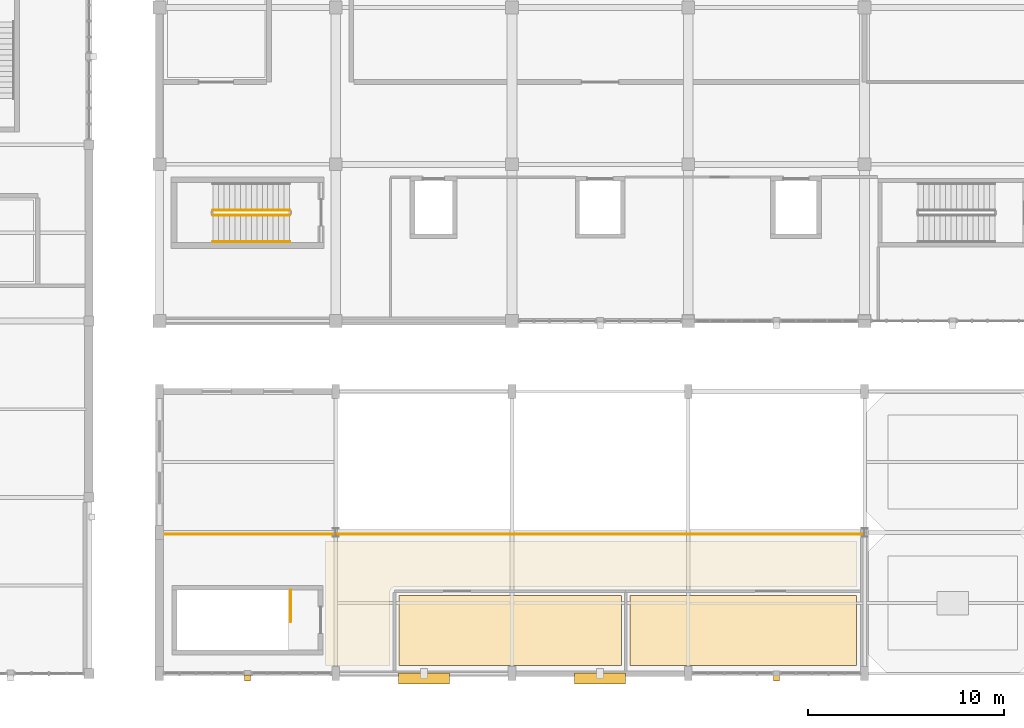
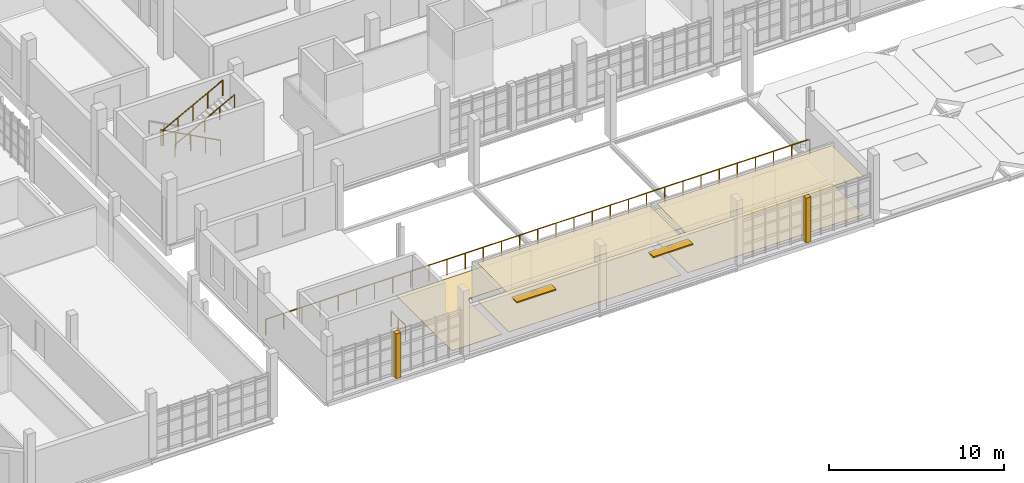
# One storey, part 112 of 125: 7 coverings, 5 railings, 2 shading devices.
"""IFC4 building model written with IfcOpenShell, lengths in metres."""

from ifc_helpers import new_model, si_unit, direction, frame, origin, origin_2d, place, context, subcontext, project, spatial, polyline, rectangle, circle, outline, extrude, material, layer, layer_set, type_object, element, save


model = new_model("IFC4")

# Units and contexts
model_context = context("Model", 3, precision=1e-05, world=origin(), true_north=direction((0.0, 1.0)))
body_context = subcontext(model_context, "Body", "Model", "MODEL_VIEW")
ifc_project = project(units=[si_unit("LENGTHUNIT", "METRE"), si_unit("AREAUNIT", "SQUARE_METRE"), si_unit("VOLUMEUNIT", "CUBIC_METRE"), si_unit("PLANEANGLEUNIT", "RADIAN"), si_unit("MASSUNIT", "GRAM", prefix="KILO")], contexts=[model_context])

# Site, building, storey
site_placement = place(None, origin())
site = spatial("IfcSite", under=ifc_project, at=site_placement, CompositionType="ELEMENT")
building_placement = place(site_placement, origin())
building = spatial("IfcBuilding", under=site, at=building_placement, Name="Serraforn Aerial Cableway Station", CompositionType="ELEMENT")
storey_placement = place(building_placement, frame((0.0, 0.0, 4.5)))
storey = spatial("IfcBuildingStorey", under=building, at=storey_placement, Name="L01", CompositionType="ELEMENT", Elevation=4.5)

# Coverings
ifc_material_1 = material(Name="Fluted patinated bronze Art Deco pilaster cladding")
ifc_layer_1 = layer(ifc_material_1, 0.034912109375)
ifc_layer_set_1 = layer_set([ifc_layer_1], Name="Fluted patinated bronze Art Deco pilaster cladding")
covering_type_1 = type_object("IfcCoveringType", Name="COV-CLAD-BRZ", PredefinedType="CLADDING", material=ifc_layer_set_1)
covering_1_placement = place(storey_placement, origin())
element("IfcCovering", 1, at=covering_1_placement, inside=storey, type_object=covering_type_1, Name="Art Deco Bronze Pilaster Cladding CF-L01-S1", PredefinedType="CLADDING", context=body_context, shape_type="SweptSolid", body=[
    extrude(outline(polyline([(31.93994140625, -0.3798828125), (32.260009765625, -0.3798828125), (32.260009765625, -0.06005859375), (31.93994140625, -0.06005859375), (31.93994140625, -0.3798828125)])), origin(), (0.0, 0.0, 1.0), 3.1201171875),
])
covering_2_placement = place(storey_placement, origin())
element("IfcCovering", 2, at=covering_2_placement, inside=storey, type_object=covering_type_1, Name="Art Deco Bronze Pilaster Cladding CF-L01-S4", PredefinedType="CLADDING", context=body_context, shape_type="SweptSolid", body=[
    extrude(outline(polyline([(58.93994140625, -0.3798828125), (59.260009765625, -0.3798828125), (59.260009765625, -0.06005859375), (58.93994140625, -0.06005859375), (58.93994140625, -0.3798828125)])), origin(), (0.0, 0.0, 1.0), 3.1201171875),
])
ifc_material_2 = material(Name="Perforated acoustic mineral ceiling")
ifc_layer_2 = layer(ifc_material_2, 0.02490234375)
ifc_layer_set_2 = layer_set([ifc_layer_2], Name="Perforated acoustic mineral ceiling")
covering_type_2 = type_object("IfcCoveringType", Name="COV-CLG-AC", PredefinedType="CEILING", material=ifc_layer_set_2)
covering_3_placement = place(storey_placement, frame((0.0, 0.0, 2.659912109375)))
element("IfcCovering", 3, at=covering_3_placement, inside=storey, type_object=covering_type_2, Name="Suspended Ceiling L01-21", PredefinedType="CEILING", context=body_context, shape_type="SweptSolid", body=[
    extrude(outline(polyline([(39.820068359375, 0.419921875), (39.820068359375, 3.97998046875), (51.179931640625, 3.97998046875), (51.179931640625, 0.419921875), (39.820068359375, 0.419921875)])), origin(), (0.0, 0.0, 1.0), 0.025146484375),
])
covering_4_placement = place(storey_placement, frame((0.0, 0.0, 2.659912109375)))
element("IfcCovering", 4, at=covering_4_placement, inside=storey, type_object=covering_type_2, Name="Suspended Ceiling L01-22", PredefinedType="CEILING", context=body_context, shape_type="SweptSolid", body=[
    extrude(outline(polyline([(51.6201171875, 0.419921875), (51.6201171875, 3.97998046875), (63.179931640625, 3.97998046875), (63.179931640625, 0.419921875), (51.6201171875, 0.419921875)])), origin(), (0.0, 0.0, 1.0), 0.025146484375),
])
ifc_material_3 = material(Name="Honed Montjuic limestone flooring", Category="masonry")
ifc_layer_3 = layer(ifc_material_3, 0.030029296875)
ifc_layer_set_3 = layer_set([ifc_layer_3], Name="Honed Montjuic limestone flooring")
covering_type_3 = type_object("IfcCoveringType", Name="COV-FLR-STN", PredefinedType="FLOORING", material=ifc_layer_set_3)
covering_5_placement = place(storey_placement, origin())
element("IfcCovering", 5, at=covering_5_placement, inside=storey, type_object=covering_type_3, Name="Flooring L01-05", PredefinedType="FLOORING", context=body_context, shape_type="SweptSolid", body=[
    extrude(outline(polyline([(36.070068359375, 0.419921875), (36.070068359375, 6.780029296875), (63.179931640625, 6.780029296875), (63.179931640625, 4.419921875), (39.60009765625, 4.419921875), (39.578369140625, 4.4189453125), (39.55712890625, 4.415771484375), (39.5361328125, 4.410400390625), (39.515869140625, 4.4033203125), (39.496337890625, 4.39404296875), (39.477783203125, 4.3828125), (39.46044921875, 4.3701171875), (39.4443359375, 4.355712890625), (39.429931640625, 4.339599609375), (39.4169921875, 4.322265625), (39.406005859375, 4.3037109375), (39.396728515625, 4.2841796875), (39.389404296875, 4.263916015625), (39.38427734375, 4.242919921875), (39.381103515625, 4.2216796875), (39.3798828125, 4.199951171875), (39.3798828125, 0.419921875), (36.070068359375, 0.419921875)])), origin(), (0.0, 0.0, 1.0), 0.030029296875),
])
ifc_material_4 = material(Name="Catalan oak parquet flooring")
ifc_layer_4 = layer(ifc_material_4, 0.02197265625)
ifc_layer_set_4 = layer_set([ifc_layer_4], Name="Catalan oak parquet flooring")
covering_type_4 = type_object("IfcCoveringType", Name="COV-FLR-WD", PredefinedType="FLOORING", material=ifc_layer_set_4)
covering_6_placement = place(storey_placement, origin())
element("IfcCovering", 6, at=covering_6_placement, inside=storey, type_object=covering_type_4, Name="Flooring L01-21", PredefinedType="FLOORING", context=body_context, shape_type="SweptSolid", body=[
    extrude(outline(polyline([(39.820068359375, 0.419921875), (39.820068359375, 3.97998046875), (51.179931640625, 3.97998046875), (51.179931640625, 0.419921875), (39.820068359375, 0.419921875)])), origin(), (0.0, 0.0, 1.0), 0.02197265625),
])
covering_7_placement = place(storey_placement, origin())
element("IfcCovering", 7, at=covering_7_placement, inside=storey, type_object=covering_type_4, Name="Flooring L01-22", PredefinedType="FLOORING", context=body_context, shape_type="SweptSolid", body=[
    extrude(outline(polyline([(51.6201171875, 0.419921875), (51.6201171875, 3.97998046875), (63.179931640625, 3.97998046875), (63.179931640625, 0.419921875), (51.6201171875, 0.419921875)])), origin(), (0.0, 0.0, 1.0), 0.02197265625),
])

# Railings
ifc_material_5 = material(Name="Patinated bronze stair guardrail")
ifc_layer_5 = layer(ifc_material_5, 0.050048828125)
ifc_layer_set_5 = layer_set([ifc_layer_5], Name="Patinated bronze stair guardrail")
railing_type_1 = type_object("IfcRailingType", Name="RL-STR-GRD", PredefinedType="GUARDRAIL", material=ifc_layer_set_5)
railing_1_placement = place(storey_placement, frame((34.25, 23.659912109375, 0.14990234375)))
element("IfcRailing", 8, at=railing_1_placement, inside=storey, type_object=railing_type_1, Name="L01 ST-03 stair guard 1", PredefinedType="GUARDRAIL", context=body_context, shape_type="SweptSolid", body=[
    extrude(circle(Radius=0.02392578125, at=origin_2d()), frame((0.0, 0.0, 1.076171875), z_axis=(-0.881466911329, 0.0, 0.472245787945), x_axis=(0.0, -1.0, 0.0)), (0.0, 0.0, 1.0), 4.447021484375),
    extrude(circle(Radius=0.02099609375, at=origin_2d()), origin(), (0.0, 0.0, 1.0), 1.052001953125),
    extrude(circle(Radius=0.02099609375, at=origin_2d()), frame((-0.97998046875, 0.0, 0.52490234375)), (0.0, 0.0, 1.0), 1.052001953125),
    extrude(circle(Radius=0.02099609375, at=origin_2d()), frame((-1.9599609375, 0.0, 1.050048828125)), (0.0, 0.0, 1.0), 1.052001953125),
    extrude(circle(Radius=0.02099609375, at=origin_2d()), frame((-2.93994140625, 0.0, 1.5751953125)), (0.0, 0.0, 1.0), 1.052001953125),
    extrude(circle(Radius=0.02099609375, at=origin_2d()), frame((-3.919921875, 0.0, 2.10009765625)), (0.0, 0.0, 1.0), 1.052001953125),
])
railing_2_placement = place(storey_placement, frame((30.330078125, 23.39990234375, 2.39990234375)))
element("IfcRailing", 9, at=railing_2_placement, inside=storey, type_object=railing_type_1, Name="L01 ST-03 stair guard 3", PredefinedType="GUARDRAIL", context=body_context, shape_type="SweptSolid", body=[
    extrude(circle(Radius=0.02392578125, at=origin_2d()), frame((0.0, 0.0, 1.076171875), z_axis=(0.881466911329, 0.0, 0.472245787945), x_axis=(0.0, 1.0, 0.0)), (0.0, 0.0, 1.0), 4.447021484375),
    extrude(circle(Radius=0.02099609375, at=origin_2d()), origin(), (0.0, 0.0, 1.0), 1.052001953125),
    extrude(circle(Radius=0.02099609375, at=origin_2d()), frame((0.97998046875, 0.0, 0.52490234375)), (0.0, 0.0, 1.0), 1.052001953125),
    extrude(circle(Radius=0.02099609375, at=origin_2d()), frame((1.9599609375, 0.0, 1.050048828125)), (0.0, 0.0, 1.0), 1.052001953125),
    extrude(circle(Radius=0.02099609375, at=origin_2d()), frame((2.93994140625, 0.0, 1.5751953125)), (0.0, 0.0, 1.0), 1.052001953125),
    extrude(circle(Radius=0.02099609375, at=origin_2d()), frame((3.919921875, 0.0, 2.10009765625)), (0.0, 0.0, 1.0), 1.052001953125),
])
railing_3_placement = place(storey_placement, frame((34.300048828125, 4.260009765625, 0.0)))
element("IfcRailing", 10, at=railing_3_placement, inside=storey, type_object=railing_type_1, Name="L01 ST-06 top well guard 1", PredefinedType="GUARDRAIL", context=body_context, shape_type="SweptSolid", body=[
    extrude(circle(Radius=0.02392578125, at=origin_2d()), frame((0.0, 0.0, 1.076171875), z_axis=(0.0, -1.0, 0.0), x_axis=(1.0, 0.0, 0.0)), (0.0, 0.0, 1.0), 1.610107421875),
    extrude(circle(Radius=0.02099609375, at=origin_2d()), origin(), (0.0, 0.0, 1.0), 1.052001953125),
    extrude(circle(Radius=0.02099609375, at=origin_2d()), frame((0.0, -0.80517578125, 0.0)), (0.0, 0.0, 1.0), 1.052001953125),
    extrude(circle(Radius=0.02099609375, at=origin_2d()), frame((0.0, -1.610107421875, 0.0)), (0.0, 0.0, 1.0), 1.052001953125),
])
ifc_material_6 = material(Name="Brushed bronze tubular handrail")
ifc_layer_6 = layer(ifc_material_6, 0.048095703125)
ifc_layer_set_6 = layer_set([ifc_layer_6], Name="Brushed bronze tubular handrail")
railing_type_2 = type_object("IfcRailingType", Name="RL-STR-HDR", PredefinedType="HANDRAIL", material=ifc_layer_set_6)
railing_4_placement = place(storey_placement, frame((30.330078125, 22.050048828125, 2.39990234375)))
element("IfcRailing", 11, at=railing_4_placement, inside=storey, type_object=railing_type_2, Name="L01 ST-03 stair handrail 2", PredefinedType="HANDRAIL", context=body_context, shape_type="SweptSolid", body=[
    extrude(circle(Radius=0.02392578125, at=origin_2d()), frame((0.0, 0.0, 0.8759765625), z_axis=(0.881466911329, 0.0, 0.472245787945), x_axis=(0.0, 1.0, 0.0)), (0.0, 0.0, 1.0), 4.447021484375),
    extrude(circle(Radius=0.02099609375, at=origin_2d()), origin(), (0.0, 0.0, 1.0), 0.851806640625),
    extrude(circle(Radius=0.02099609375, at=origin_2d()), frame((0.97998046875, 0.0, 0.52490234375)), (0.0, 0.0, 1.0), 0.851806640625),
    extrude(circle(Radius=0.02099609375, at=origin_2d()), frame((1.9599609375, 0.0, 1.050048828125)), (0.0, 0.0, 1.0), 0.851806640625),
    extrude(circle(Radius=0.02099609375, at=origin_2d()), frame((2.93994140625, 0.0, 1.5751953125)), (0.0, 0.0, 1.0), 0.851806640625),
    extrude(circle(Radius=0.02099609375, at=origin_2d()), frame((3.919921875, 0.0, 2.10009765625)), (0.0, 0.0, 1.0), 0.851806640625),
])
ifc_material_7 = material(Name="Patinated bronze chevron Art Deco balustrade")
ifc_layer_7 = layer(ifc_material_7, 0.06005859375)
ifc_layer_set_7 = layer_set([ifc_layer_7], Name="Patinated bronze chevron Art Deco balustrade")
railing_type_3 = type_object("IfcRailingType", Name="RL-TER-GUARD", PredefinedType="BALUSTRADE", material=ifc_layer_set_7)
railing_5_placement = place(storey_placement, frame((27.679931640625, 7.1201171875, 0.0)))
element("IfcRailing", 12, at=railing_5_placement, inside=storey, type_object=railing_type_3, Name="Balustrade Guard GD-MEZ-CFL01", PredefinedType="BALUSTRADE", context=body_context, shape_type="SweptSolid", body=[
    extrude(circle(Radius=0.02392578125, at=origin_2d()), frame((0.0, 0.0, 1.09619140625), z_axis=(1.0, 0.0, 0.0), x_axis=(0.0, 1.0, 0.0)), (0.0, 0.0, 1.0), 35.840087890625),
    extrude(circle(Radius=0.02099609375, at=origin_2d()), origin(), (0.0, 0.0, 1.0), 1.072021484375),
    extrude(circle(Radius=0.02099609375, at=origin_2d()), frame((1.194580078125, 0.0, 0.0)), (0.0, 0.0, 1.0), 1.072021484375),
    extrude(circle(Radius=0.02099609375, at=origin_2d()), frame((2.389404296875, 0.0, 0.0)), (0.0, 0.0, 1.0), 1.072021484375),
    extrude(circle(Radius=0.02099609375, at=origin_2d()), frame((3.583984375, 0.0, 0.0)), (0.0, 0.0, 1.0), 1.072021484375),
    extrude(circle(Radius=0.02099609375, at=origin_2d()), frame((4.778564453125, 0.0, 0.0)), (0.0, 0.0, 1.0), 1.072021484375),
    extrude(circle(Radius=0.02099609375, at=origin_2d()), frame((5.973388671875, 0.0, 0.0)), (0.0, 0.0, 1.0), 1.072021484375),
    extrude(circle(Radius=0.02099609375, at=origin_2d()), frame((7.16796875, 0.0, 0.0)), (0.0, 0.0, 1.0), 1.072021484375),
    extrude(circle(Radius=0.02099609375, at=origin_2d()), frame((8.36279296875, 0.0, 0.0)), (0.0, 0.0, 1.0), 1.072021484375),
    extrude(circle(Radius=0.02099609375, at=origin_2d()), frame((9.557373046875, 0.0, 0.0)), (0.0, 0.0, 1.0), 1.072021484375),
    extrude(circle(Radius=0.02099609375, at=origin_2d()), frame((10.751953125, 0.0, 0.0)), (0.0, 0.0, 1.0), 1.072021484375),
    extrude(circle(Radius=0.02099609375, at=origin_2d()), frame((11.94677734375, 0.0, 0.0)), (0.0, 0.0, 1.0), 1.072021484375),
    extrude(circle(Radius=0.02099609375, at=origin_2d()), frame((13.141357421875, 0.0, 0.0)), (0.0, 0.0, 1.0), 1.072021484375),
    extrude(circle(Radius=0.02099609375, at=origin_2d()), frame((14.3359375, 0.0, 0.0)), (0.0, 0.0, 1.0), 1.072021484375),
    extrude(circle(Radius=0.02099609375, at=origin_2d()), frame((15.53076171875, 0.0, 0.0)), (0.0, 0.0, 1.0), 1.072021484375),
    extrude(circle(Radius=0.02099609375, at=origin_2d()), frame((16.725341796875, 0.0, 0.0)), (0.0, 0.0, 1.0), 1.072021484375),
    extrude(circle(Radius=0.02099609375, at=origin_2d()), frame((17.919921875, 0.0, 0.0)), (0.0, 0.0, 1.0), 1.072021484375),
    extrude(circle(Radius=0.02099609375, at=origin_2d()), frame((19.11474609375, 0.0, 0.0)), (0.0, 0.0, 1.0), 1.072021484375),
    extrude(circle(Radius=0.02099609375, at=origin_2d()), frame((20.309326171875, 0.0, 0.0)), (0.0, 0.0, 1.0), 1.072021484375),
    extrude(circle(Radius=0.02099609375, at=origin_2d()), frame((21.504150390625, 0.0, 0.0)), (0.0, 0.0, 1.0), 1.072021484375),
    extrude(circle(Radius=0.02099609375, at=origin_2d()), frame((22.69873046875, 0.0, 0.0)), (0.0, 0.0, 1.0), 1.072021484375),
    extrude(circle(Radius=0.02099609375, at=origin_2d()), frame((23.893310546875, 0.0, 0.0)), (0.0, 0.0, 1.0), 1.072021484375),
    extrude(circle(Radius=0.02099609375, at=origin_2d()), frame((25.088134765625, 0.0, 0.0)), (0.0, 0.0, 1.0), 1.072021484375),
    extrude(circle(Radius=0.02099609375, at=origin_2d()), frame((26.28271484375, 0.0, 0.0)), (0.0, 0.0, 1.0), 1.072021484375),
    extrude(circle(Radius=0.02099609375, at=origin_2d()), frame((27.477294921875, 0.0, 0.0)), (0.0, 0.0, 1.0), 1.072021484375),
    extrude(circle(Radius=0.02099609375, at=origin_2d()), frame((28.672119140625, 0.0, 0.0)), (0.0, 0.0, 1.0), 1.072021484375),
    extrude(circle(Radius=0.02099609375, at=origin_2d()), frame((29.86669921875, 0.0, 0.0)), (0.0, 0.0, 1.0), 1.072021484375),
    extrude(circle(Radius=0.02099609375, at=origin_2d()), frame((31.0615234375, 0.0, 0.0)), (0.0, 0.0, 1.0), 1.072021484375),
    extrude(circle(Radius=0.02099609375, at=origin_2d()), frame((32.256103515625, 0.0, 0.0)), (0.0, 0.0, 1.0), 1.072021484375),
    extrude(circle(Radius=0.02099609375, at=origin_2d()), frame((33.45068359375, 0.0, 0.0)), (0.0, 0.0, 1.0), 1.072021484375),
    extrude(circle(Radius=0.02099609375, at=origin_2d()), frame((34.6455078125, 0.0, 0.0)), (0.0, 0.0, 1.0), 1.072021484375),
    extrude(circle(Radius=0.02099609375, at=origin_2d()), frame((35.840087890625, 0.0, 0.0)), (0.0, 0.0, 1.0), 1.072021484375),
])

# Shading devices
ifc_material_8 = material(Name="Anodised bronze solar brise-soleil louvre")
ifc_layer_8 = layer(ifc_material_8, 0.080078125)
ifc_layer_set_8 = layer_set([ifc_layer_8], Name="Anodised bronze solar brise-soleil louvre")
shading_device_type = type_object("IfcShadingDeviceType", Name="SHD-LOUVRE", PredefinedType="USERDEFINED", material=ifc_layer_set_8)
for number, where, z_axis, x_axis, name in (
    (13, (41.10009765625, -0.25, 2.60986328125), (0.0, 0.0, 1.0), (1.0, 0.0, 0.0), "Art Deco Bronze Brise-Soleil 04"),
    (14, (50.10009765625, -0.25, 2.60986328125), (0.0, 0.0, 1.0), (1.0, 0.0, 0.0), "Art Deco Bronze Brise-Soleil 05"),
):
    element("IfcShadingDevice", number, at=place(storey_placement, frame(where, z_axis=z_axis, x_axis=x_axis)), inside=storey, type_object=shading_device_type, Name=name, ObjectType="SUNSHADE", PredefinedType="USERDEFINED", context=body_context, shape_type="SweptSolid", body=[
        extrude(rectangle(XDim=2.60009765625, YDim=0.550048828125, at=origin_2d()), origin(), (0.0, 0.0, 1.0), 0.080078125),
    ])

save(model, "model.ifc")
